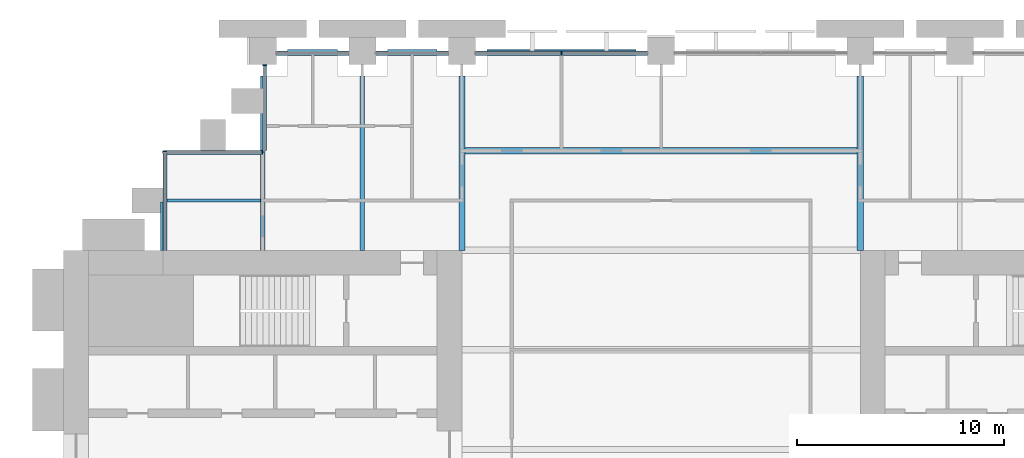
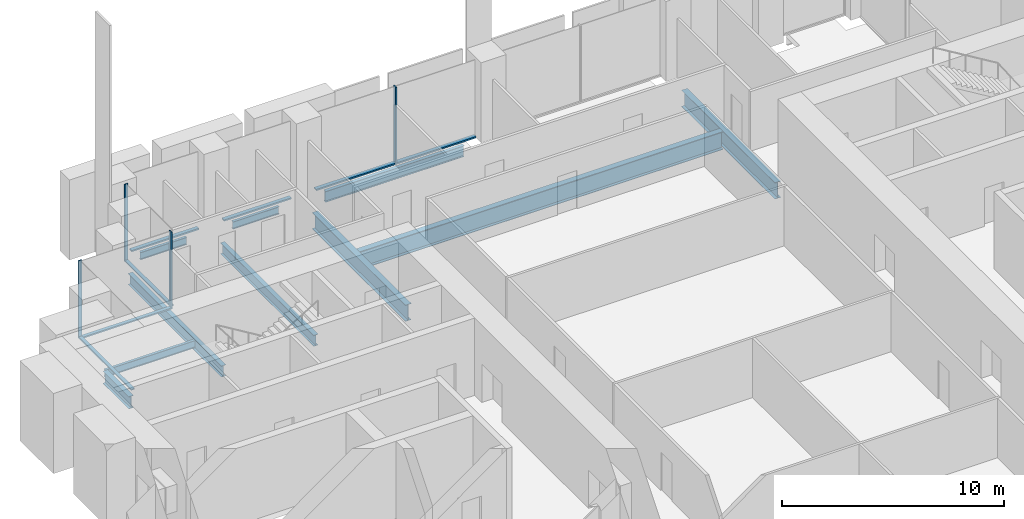
# One storey, part 14 of 32: 10 beams, 10 members, 4 elements without a shape of their own.
"""IFC4 building model written with IfcOpenShell, lengths in metres."""

import ifcopenshell
import ifcopenshell.guid

model = None  # the IFC model being written
_history = None  # IfcOwnerHistory: only IFC2X3 demands one
_inside = {}  # id of a spatial element -> (the spatial element, [elements in it])
_under = {}  # id of a project, library or spatial element -> (it, [spatial elements below it])
_declared = {}  # id of a project -> (the project, [libraries it declares])
_typed = {}  # id of a type object -> (the type object, [elements of that type])
_made_of = {}  # id of a material, layer set ... -> (it, [elements and type objects made of it])


def new_model(schema):
    """Start an empty IFC model of exactly this schema.

    Asked for "IFC4X3", IfcOpenShell would pick the latest addendum, in which some entities
    have other attributes; the version numbers below select the first issue.
    IFC2X3 requires an IfcOwnerHistory on every rooted entity: one is made here for all.
    """
    global model, _history
    if schema == "IFC4X3":
        model = ifcopenshell.file(schema_version=(4, 3, 0, 0))
    else:
        model = ifcopenshell.file(schema=schema)
    _inside.clear()
    _under.clear()
    _declared.clear()
    _typed.clear()
    _made_of.clear()
    _history = None
    if model.schema == "IFC2X3":
        org = make("IfcOrganization", Name="unknown")
        user = make(
            "IfcPersonAndOrganization",
            ThePerson=make("IfcPerson", FamilyName="unknown"),
            TheOrganization=org,
        )
        app = make(
            "IfcApplication",
            ApplicationDeveloper=org,
            Version="unknown",
            ApplicationFullName="unknown",
            ApplicationIdentifier="unknown",
        )
        _history = make(
            "IfcOwnerHistory",
            OwningUser=user,
            OwningApplication=app,
            ChangeAction="ADDED",
            CreationDate=0,
        )
    return model


def make(cls, **values):
    """One entity of the class cls with the attributes given. An attribute that is None is left unset."""
    return model.create_entity(
        cls, **{name: value for name, value in values.items() if value is not None}
    )


def rooted(cls, **values):
    """An entity with a GlobalId (a new one), such as an element, a storey or a relation."""
    return make(cls, GlobalId=ifcopenshell.guid.new(), OwnerHistory=_history, **values)


def si_unit(unit_type, name, prefix=None):
    """IfcSIUnit, for example si_unit("LENGTHUNIT", "METRE", prefix="MILLI")."""
    return make("IfcSIUnit", UnitType=unit_type, Prefix=prefix, Name=name)


def assignment(units):
    """IfcUnitAssignment: the units of a project."""
    return None if units is None else make("IfcUnitAssignment", Units=units)


def point(xyz):
    """IfcCartesianPoint."""
    return None if xyz is None else make("IfcCartesianPoint", Coordinates=xyz)


def direction(xyz):
    """IfcDirection."""
    return None if xyz is None else make("IfcDirection", DirectionRatios=xyz)


def frame(location, z_axis=None, x_axis=None):
    """IfcAxis2Placement3D, a coordinate frame: its origin and axes. An axis left out is left unset."""
    return make(
        "IfcAxis2Placement3D",
        Location=point(location),
        Axis=direction(z_axis),
        RefDirection=direction(x_axis),
    )


def frame_2d(location, x_axis=None):
    """IfcAxis2Placement2D, a coordinate frame in the plane: its origin and x axis."""
    return make(
        "IfcAxis2Placement2D", Location=point(location), RefDirection=direction(x_axis)
    )


def origin():
    """The frame at (0, 0, 0) with its axes left unset."""
    return frame((0.0, 0.0, 0.0))


def origin_2d():
    """The frame at (0, 0) in the plane with its x axis left unset."""
    return frame_2d((0.0, 0.0))


def place(relative_to, where):
    """IfcLocalPlacement: puts the frame where relative to a parent placement (None: the world)."""
    return make(
        "IfcLocalPlacement", PlacementRelTo=relative_to, RelativePlacement=where
    )


def context(
    kind, dimensions, precision=None, world=None, true_north=None, identifier=None
):
    """IfcGeometricRepresentationContext, for example the 3D "Model" context."""
    return make(
        "IfcGeometricRepresentationContext",
        ContextIdentifier=identifier,
        ContextType=kind,
        CoordinateSpaceDimension=dimensions,
        Precision=precision,
        WorldCoordinateSystem=world,
        TrueNorth=true_north,
    )


def subcontext(parent, identifier, kind, view, scale=None):
    """IfcGeometricRepresentationSubContext, for example "Body" below "Model"."""
    return make(
        "IfcGeometricRepresentationSubContext",
        ContextIdentifier=identifier,
        ContextType=kind,
        ParentContext=parent,
        TargetScale=scale,
        TargetView=view,
    )


def project(units=None, contexts=None):
    """IfcProject with its units and contexts."""
    return rooted(
        "IfcProject",
        Name="project",
        RepresentationContexts=contexts,
        UnitsInContext=assignment(units),
    )


def spatial(cls, under=None, at=None, **own):
    """A site, building, storey or space (cls), placed at a placement, below another one or the project."""
    s = rooted(cls, ObjectPlacement=at, **own)
    if under is not None:
        _under.setdefault(under.id(), (under, []))[1].append(s)
    return s


def profile(cls, at=None, kind="AREA", **sizes):
    """A parametric profile (cls). Its sizes go by their IFC names, for example OverallWidth=200.0."""
    return make(cls, ProfileType=kind, Position=at, **sizes)


def rectangle(**sizes):
    """IfcRectangleProfileDef."""
    return profile("IfcRectangleProfileDef", **sizes)


def i_section(**sizes):
    """IfcIShapeProfileDef."""
    return profile("IfcIShapeProfileDef", **sizes)


def extrude(swept, where, along, depth):
    """IfcExtrudedAreaSolid: the profile swept, set in the frame where, extruded along a direction by depth."""
    return make(
        "IfcExtrudedAreaSolid",
        SweptArea=swept,
        Position=where,
        ExtrudedDirection=direction(along),
        Depth=depth,
    )


def shape(context_of_items, identifier, shape_type, items):
    """IfcShapeRepresentation: the items that make up one representation, for example the "Body"."""
    return make(
        "IfcShapeRepresentation",
        ContextOfItems=context_of_items,
        RepresentationIdentifier=identifier,
        RepresentationType=shape_type,
        Items=items,
    )


def material(Name=None, Category=None):
    """IfcMaterial."""
    return make("IfcMaterial", Name=Name, Category=Category)


def material_profile(
    of_material, cross_section, Name=None, Category=None, Priority=None
):
    """IfcMaterialProfile: a cross section and its material."""
    return make(
        "IfcMaterialProfile",
        Name=Name,
        Material=of_material,
        Profile=cross_section,
        Priority=Priority,
        Category=Category,
    )


def profile_set(profiles, Name=None, composite=None):
    """IfcMaterialProfileSet."""
    return make(
        "IfcMaterialProfileSet",
        Name=Name,
        MaterialProfiles=profiles,
        CompositeProfile=composite,
    )


def made_of(thing, what):
    """Note that an element or type object is made of a material, layer set ...; save() writes the relation."""
    if what is not None:
        _made_of.setdefault(what.id(), (what, []))[1].append(thing)
    return thing


def type_object(cls, material=None, **own):
    """A type object (cls), such as IfcWallType, which elements share."""
    return made_of(rooted(cls, **own), material)


def element(
    cls,
    number,
    at=None,
    inside=None,
    cuts=None,
    type_object=None,
    material=None,
    context=None,
    identifier="Body",
    shape_type=None,
    held_by="IfcProductDefinitionShape",
    body=None,
    shapes=None,
    **own,
):
    """One element of the class cls, such as IfcWall. Its Tag is "e" and its number.

    at: its placement. inside: the storey or other place that contains it. cuts: it is an
    opening in that element (IfcRelVoidsElement). A single representation is given by context,
    identifier, shape_type and body (its items); several are given by shapes. held_by: the class
    of the entity that holds the representations. save() writes the other relations.
    """
    e = rooted(cls, Tag="e%d" % number, ObjectPlacement=at, **own)
    if body is not None:
        shapes = [shape(context, identifier, shape_type, body)]
    if shapes is not None:
        e.Representation = make(held_by, Representations=shapes)
    if inside is not None:
        _inside.setdefault(inside.id(), (inside, []))[1].append(e)
    if cuts is not None:
        rooted(
            "IfcRelVoidsElement", RelatingBuildingElement=cuts, RelatedOpeningElement=e
        )
    if type_object is not None:
        _typed.setdefault(type_object.id(), (type_object, []))[1].append(e)
    return made_of(e, material)


def aggregate(whole, parts):
    """IfcRelAggregates: a whole, such as a stair, and the parts it consists of."""
    return rooted("IfcRelAggregates", RelatingObject=whole, RelatedObjects=parts)


def save(model, path):
    """Write the relations noted so far, then the file.

    IfcRelAggregates (storeys below a building ...), IfcRelContainedInSpatialStructure (elements
    in a storey), IfcRelDefinesByType, IfcRelAssociatesMaterial and IfcRelDeclares: one each for
    every whole, place, type object, material and project.
    """
    for whole, parts in _under.values():
        aggregate(whole, parts)
    for where, things in _inside.values():
        rooted(
            "IfcRelContainedInSpatialStructure",
            RelatedElements=things,
            RelatingStructure=where,
        )
    for kind, things in _typed.values():
        rooted("IfcRelDefinesByType", RelatedObjects=things, RelatingType=kind)
    for what, things in _made_of.values():
        rooted("IfcRelAssociatesMaterial", RelatedObjects=things, RelatingMaterial=what)
    for by, libraries in _declared.values():
        rooted("IfcRelDeclares", RelatingContext=by, RelatedDefinitions=libraries)
    model.write(path)


model = new_model("IFC4")

# Units and contexts
model_context = context("Model", 3, precision=1e-05, world=origin(), true_north=direction((0.0, 1.0)))
body_context = subcontext(model_context, "Body", "Model", "MODEL_VIEW")
ifc_project = project(units=[si_unit("LENGTHUNIT", "METRE"), si_unit("AREAUNIT", "SQUARE_METRE"), si_unit("VOLUMEUNIT", "CUBIC_METRE"), si_unit("PLANEANGLEUNIT", "RADIAN"), si_unit("MASSUNIT", "GRAM", prefix="KILO")], contexts=[model_context])

# Site, building, storey
site_placement = place(None, origin())
site = spatial("IfcSite", under=ifc_project, at=site_placement, CompositionType="ELEMENT")
building_placement = place(site_placement, origin())
building = spatial("IfcBuilding", under=site, at=building_placement, Name="Baori Bourse Tower", CompositionType="ELEMENT")
storey_placement = place(building_placement, frame((0.0, 0.0, 12.60009765625)))
storey = spatial("IfcBuildingStorey", under=building, at=storey_placement, Name="L01", CompositionType="ELEMENT", Elevation=12.60009765625)

# Curtain wall, members
ifc_material_1 = material(Name="Pale anodised aluminium", Category="aluminium")
curtain_wall_type_1 = type_object("IfcCurtainWallType", Name="CW1 Curtain wall", PredefinedType="NOTDEFINED", material=ifc_material_1)
curtain_wall_1_placement = place(storey_placement, origin())
curtain_wall_1 = element("IfcCurtainWall", 1, at=curtain_wall_1_placement, inside=storey, type_object=curtain_wall_type_1, Name="Curtain wall CW1 L01 4", PredefinedType="NOTDEFINED")
ifc_material_2 = material(Name="Pale anodised aluminium", Category="aluminium")
ifc_material_profile_1 = material_profile(ifc_material_2, rectangle(XDim=0.199951171875, YDim=0.06005859375, at=origin_2d()), Name="Mullion 60x200")
ifc_profile_set_1 = profile_set([ifc_material_profile_1], Name="Pale anodised aluminium")
member_type_1 = type_object("IfcMemberType", Name="CW1 Curtain wall mullion", PredefinedType="MULLION", material=ifc_profile_set_1)
member_1_placement = place(storey_placement, frame((24.0, 47.89990234375, 0.079833984375), z_axis=(0.0, 0.0, 1.0), x_axis=(0.0, -1.0, 0.0)))
member_1 = element("IfcMember", 2, at=member_1_placement, type_object=member_type_1, Name="Curtain wall CW1 mullion", PredefinedType="MULLION", context=body_context, shape_type="SweptSolid", body=[
    extrude(rectangle(XDim=0.199951171875, YDim=0.06005859375, at=origin_2d()), origin(), (0.0, 0.0, 1.0), 4.16015625),
])
ifc_material_3 = material(Name="Pale anodised aluminium", Category="aluminium")
ifc_material_profile_2 = material_profile(ifc_material_3, rectangle(XDim=0.199951171875, YDim=0.080078125, at=origin_2d()), Name="Transom 80x200")
ifc_profile_set_2 = profile_set([ifc_material_profile_2], Name="Pale anodised aluminium")
member_type_2 = type_object("IfcMemberType", Name="CW1 Curtain wall transom", PredefinedType="USERDEFINED", material=ifc_profile_set_2)
member_2_placement = place(storey_placement, frame((28.14990234375, 47.89990234375, 0.039794921875), z_axis=(-1.0, 0.0, 0.0), x_axis=(0.0, -1.0, 0.0)))
member_2 = element("IfcMember", 3, at=member_2_placement, type_object=member_type_2, Name="Curtain wall CW1 sill rail", ObjectType="TRANSOM", PredefinedType="USERDEFINED", context=body_context, shape_type="SweptSolid", body=[
    extrude(rectangle(XDim=0.199951171875, YDim=0.080078125, at=origin_2d()), origin(), (0.0, 0.0, 1.0), 8.2998046875),
])
member_3_placement = place(storey_placement, frame((18.550048828125, 47.89990234375, 0.039794921875), z_axis=(-1.0, 0.0, 0.0), x_axis=(0.0, -1.0, 0.0)))
member_3 = element("IfcMember", 4, at=member_3_placement, type_object=member_type_2, Name="Curtain wall CW1 sill rail", ObjectType="TRANSOM", PredefinedType="USERDEFINED", context=body_context, shape_type="SweptSolid", body=[
    extrude(rectangle(XDim=0.199951171875, YDim=0.080078125, at=origin_2d()), origin(), (0.0, 0.0, 1.0), 3.5),
])
member_4_placement = place(storey_placement, frame((13.75, 47.89990234375, 0.039794921875), z_axis=(-1.0, 0.0, 0.0), x_axis=(0.0, -1.0, 0.0)))
member_4 = element("IfcMember", 5, at=member_4_placement, type_object=member_type_2, Name="Curtain wall CW1 sill rail", ObjectType="TRANSOM", PredefinedType="USERDEFINED", context=body_context, shape_type="SweptSolid", body=[
    extrude(rectangle(XDim=0.199951171875, YDim=0.080078125, at=origin_2d()), origin(), (0.0, 0.0, 1.0), 3.5),
])
aggregate(curtain_wall_1, [member_2, member_1, member_3, member_4])

# Curtain wall, member
ifc_material_4 = material(Name="Pale anodised aluminium", Category="aluminium")
curtain_wall_type_2 = type_object("IfcCurtainWallType", Name="CW2 Curtain wall", PredefinedType="NOTDEFINED", material=ifc_material_4)
curtain_wall_2_placement = place(storey_placement, origin())
curtain_wall_2 = element("IfcCurtainWall", 6, at=curtain_wall_2_placement, inside=storey, type_object=curtain_wall_type_2, Name="Curtain wall CW2 L01 5", PredefinedType="NOTDEFINED")
ifc_material_5 = material(Name="Pale anodised aluminium", Category="aluminium")
ifc_material_profile_3 = material_profile(ifc_material_5, rectangle(XDim=0.179931640625, YDim=0.054931640625, at=origin_2d()), Name="Mullion 55x180")
ifc_profile_set_3 = profile_set([ifc_material_profile_3], Name="Pale anodised aluminium")
member_type_3 = type_object("IfcMemberType", Name="CW2 Curtain wall mullion", PredefinedType="MULLION", material=ifc_profile_set_3)
member_5_placement = place(storey_placement, frame((9.68994140625, 47.322509765625, 0.06982421875), z_axis=(0.0, 0.0, 1.0), x_axis=(1.0, 0.0, 0.0)))
member_5 = element("IfcMember", 7, at=member_5_placement, type_object=member_type_3, Name="Curtain wall CW2 mullion", PredefinedType="MULLION", context=body_context, shape_type="SweptSolid", body=[
    extrude(rectangle(XDim=0.179931640625, YDim=0.054931640625, at=origin_2d()), origin(), (0.0, 0.0, 1.0), 4.170166015625),
])

curtain_wall_3_placement = place(storey_placement, origin())
curtain_wall_3 = element("IfcCurtainWall", 8, at=curtain_wall_3_placement, inside=storey, type_object=curtain_wall_type_2, Name="Curtain wall CW2 L01 6", PredefinedType="NOTDEFINED")
member_6_placement = place(storey_placement, frame((9.572509765625, 43.110107421875, 0.06982421875), z_axis=(0.0, 0.0, 1.0), x_axis=(0.0, -1.0, 0.0)))
member_6 = element("IfcMember", 9, at=member_6_placement, type_object=member_type_3, Name="Curtain wall CW2 mullion", PredefinedType="MULLION", context=body_context, shape_type="SweptSolid", body=[
    extrude(rectangle(XDim=0.179931640625, YDim=0.054931640625, at=origin_2d()), origin(), (0.0, 0.0, 1.0), 4.170166015625),
])

curtain_wall_4_placement = place(storey_placement, origin())
curtain_wall_4 = element("IfcCurtainWall", 10, at=curtain_wall_4_placement, inside=storey, type_object=curtain_wall_type_2, Name="Curtain wall CW2 L01 7", PredefinedType="NOTDEFINED")
member_7_placement = place(storey_placement, frame((4.889892578125, 43.172607421875, 0.06982421875), z_axis=(0.0, 0.0, 1.0), x_axis=(1.0, 0.0, 0.0)))
member_7 = element("IfcMember", 11, at=member_7_placement, type_object=member_type_3, Name="Curtain wall CW2 mullion", PredefinedType="MULLION", context=body_context, shape_type="SweptSolid", body=[
    extrude(rectangle(XDim=0.179931640625, YDim=0.054931640625, at=origin_2d()), origin(), (0.0, 0.0, 1.0), 4.170166015625),
])

# Member
ifc_material_6 = material(Name="Pale anodised aluminium", Category="aluminium")
ifc_material_profile_4 = material_profile(ifc_material_6, rectangle(XDim=0.179931640625, YDim=0.070068359375, at=origin_2d()), Name="Transom 70x180")
ifc_profile_set_4 = profile_set([ifc_material_profile_4], Name="Pale anodised aluminium")
member_type_4 = type_object("IfcMemberType", Name="CW2 Curtain wall transom", PredefinedType="USERDEFINED", material=ifc_profile_set_4)
member_8_placement = place(storey_placement, frame((9.68994140625, 47.35009765625, 0.034912109375), z_axis=(0.0, -1.0, 0.0), x_axis=(1.0, 0.0, 0.0)))
member_8 = element("IfcMember", 12, at=member_8_placement, type_object=member_type_4, Name="Curtain wall CW2 sill rail", ObjectType="TRANSOM", PredefinedType="USERDEFINED", context=body_context, shape_type="SweptSolid", body=[
    extrude(rectangle(XDim=0.179931640625, YDim=0.070068359375, at=origin_2d()), origin(), (0.0, 0.0, 1.0), 4.150146484375),
])

aggregate(curtain_wall_2, [member_8, member_5])

member_9_placement = place(storey_placement, frame((9.60009765625, 43.110107421875, 0.034912109375), z_axis=(-1.0, 0.0, 0.0), x_axis=(0.0, -1.0, 0.0)))
member_9 = element("IfcMember", 13, at=member_9_placement, type_object=member_type_4, Name="Curtain wall CW2 sill rail", ObjectType="TRANSOM", PredefinedType="USERDEFINED", context=body_context, shape_type="SweptSolid", body=[
    extrude(rectangle(XDim=0.179931640625, YDim=0.070068359375, at=origin_2d()), origin(), (0.0, 0.0, 1.0), 4.800048828125),
])

aggregate(curtain_wall_3, [member_9, member_6])

member_10_placement = place(storey_placement, frame((4.889892578125, 43.199951171875, 0.034912109375), z_axis=(0.0, -1.0, 0.0), x_axis=(1.0, 0.0, 0.0)))
member_10 = element("IfcMember", 14, at=member_10_placement, type_object=member_type_4, Name="Curtain wall CW2 sill rail", ObjectType="TRANSOM", PredefinedType="USERDEFINED", context=body_context, shape_type="SweptSolid", body=[
    extrude(rectangle(XDim=0.179931640625, YDim=0.070068359375, at=origin_2d()), origin(), (0.0, 0.0, 1.0), 4.800048828125),
])

aggregate(curtain_wall_4, [member_10, member_7])

# Beams
ifc_material_7 = material(Name="Steel A992 Gr 50", Category="steel")
ifc_material_profile_5 = material_profile(ifc_material_7, i_section(OverallWidth=0.25390625, OverallDepth=0.67822265625, WebThickness=0.01171875, FlangeThickness=0.016357421875, at=origin_2d()), Name="W27x84")
ifc_profile_set_5 = profile_set([ifc_material_profile_5], Name="Steel A992 Gr 50")
beam_type_1 = type_object("IfcBeamType", Name="Core bracket W27x84", PredefinedType="BEAM", material=ifc_profile_set_5)
beam_1_placement = place(storey_placement, frame((4.800048828125, 38.39990234375, -0.63916015625), z_axis=(0.0, 1.0, 0.0), x_axis=(-1.0, 0.0, 0.0)))
element("IfcBeam", 15, at=beam_1_placement, inside=storey, type_object=beam_type_1, Name="Core bracket L01", PredefinedType="BEAM", context=body_context, shape_type="SweptSolid", body=[
    extrude(i_section(OverallWidth=0.25390625, OverallDepth=0.67822265625, WebThickness=0.01171875, FlangeThickness=0.016357421875, at=origin_2d()), origin(), (0.0, 0.0, 1.0), 2.329833984375),
])
ifc_material_8 = material(Name="Steel A992 Gr 50", Category="steel")
ifc_material_profile_6 = material_profile(ifc_material_8, i_section(OverallWidth=0.140380859375, OverallDepth=0.40380859375, WebThickness=0.007080078125, FlangeThickness=0.01123046875, at=origin_2d()), Name="W16x31")
ifc_profile_set_6 = profile_set([ifc_material_profile_6], Name="Steel A992 Gr 50")
beam_type_2 = type_object("IfcBeamType", Name="Edge beam W16x31", PredefinedType="BEAM", material=ifc_profile_set_6)
for number, where, z_axis, x_axis, name in (
    (16, (10.800048828125, 48.0, -0.501953125), (1.0, 0.0, 0.0), (0.0, 1.0, 0.0), "Edge beam L01"),
    (17, (15.60009765625, 48.0, -0.501953125), (1.0, 0.0, 0.0), (0.0, 1.0, 0.0), "Edge beam L01"),
):
    element("IfcBeam", number, at=place(storey_placement, frame(where, z_axis=z_axis, x_axis=x_axis)), inside=storey, type_object=beam_type_2, Name=name, PredefinedType="BEAM", context=body_context, shape_type="SweptSolid", body=[
        extrude(i_section(OverallWidth=0.140380859375, OverallDepth=0.40380859375, WebThickness=0.007080078125, FlangeThickness=0.01123046875, at=origin_2d()), origin(), (0.0, 0.0, 1.0), 2.39990234375),
    ])
ifc_material_9 = material(Name="Steel A992 Gr 50", Category="steel")
ifc_material_profile_7 = material_profile(ifc_material_9, i_section(OverallWidth=0.177978515625, OverallDepth=0.599365234375, WebThickness=0.010009765625, FlangeThickness=0.012939453125, at=origin_2d()), Name="W24x55")
ifc_profile_set_7 = profile_set([ifc_material_profile_7], Name="Steel A992 Gr 50")
beam_type_3 = type_object("IfcBeamType", Name="Edge beam W24x55", PredefinedType="BEAM", material=ifc_profile_set_7)
beam_2_placement = place(storey_placement, frame((20.39990234375, 48.0, -0.599853515625), z_axis=(1.0, 0.0, 0.0), x_axis=(0.0, 1.0, 0.0)))
element("IfcBeam", 18, at=beam_2_placement, inside=storey, type_object=beam_type_3, Name="Edge beam L01", PredefinedType="BEAM", context=body_context, shape_type="SweptSolid", body=[
    extrude(i_section(OverallWidth=0.177978515625, OverallDepth=0.599365234375, WebThickness=0.010009765625, FlangeThickness=0.012939453125, at=origin_2d()), origin(), (0.0, 0.0, 1.0), 7.2001953125),
])
ifc_material_10 = material(Name="Steel A992 Gr 50", Category="steel")
ifc_material_profile_8 = material_profile(ifc_material_10, i_section(OverallWidth=0.227783203125, OverallDepth=0.60205078125, WebThickness=0.010498046875, FlangeThickness=0.014892578125, at=origin_2d()), Name="W24x68")
ifc_profile_set_8 = profile_set([ifc_material_profile_8], Name="Steel A992 Gr 50")
beam_type_4 = type_object("IfcBeamType", Name="Floor beam W24x68", PredefinedType="BEAM", material=ifc_profile_set_8)
beam_3_placement = place(storey_placement, frame((14.39990234375, 38.39990234375, -0.60107421875), z_axis=(0.0, 1.0, 0.0), x_axis=(-1.0, 0.0, 0.0)))
element("IfcBeam", 19, at=beam_3_placement, inside=storey, type_object=beam_type_4, Name="Floor beam L01", PredefinedType="BEAM", context=body_context, shape_type="SweptSolid", body=[
    extrude(i_section(OverallWidth=0.227783203125, OverallDepth=0.60205078125, WebThickness=0.010498046875, FlangeThickness=0.014892578125, at=origin_2d()), origin(), (0.0, 0.0, 1.0), 8.400146484375),
])
ifc_material_11 = material(Name="Steel A992 Gr 50", Category="steel")
ifc_material_profile_9 = material_profile(ifc_material_11, i_section(OverallWidth=0.22900390625, OverallDepth=0.612060546875, WebThickness=0.011962890625, FlangeThickness=0.01953125, at=origin_2d()), Name="W24x84")
ifc_profile_set_9 = profile_set([ifc_material_profile_9], Name="Steel A992 Gr 50")
beam_type_5 = type_object("IfcBeamType", Name="Floor beam W24x84", PredefinedType="BEAM", material=ifc_profile_set_9)
beam_4_placement = place(storey_placement, frame((9.60009765625, 38.39990234375, -0.606201171875), z_axis=(0.0, 1.0, 0.0), x_axis=(-1.0, 0.0, 0.0)))
element("IfcBeam", 20, at=beam_4_placement, inside=storey, type_object=beam_type_5, Name="Floor beam L01", PredefinedType="BEAM", context=body_context, shape_type="SweptSolid", body=[
    extrude(i_section(OverallWidth=0.22900390625, OverallDepth=0.612060546875, WebThickness=0.011962890625, FlangeThickness=0.01953125, at=origin_2d()), origin(), (0.0, 0.0, 1.0), 8.400146484375),
])
ifc_material_12 = material(Name="Steel A992 Gr 50", Category="steel")
ifc_material_profile_10 = material_profile(ifc_material_12, i_section(OverallWidth=0.2998046875, OverallDepth=0.990478515625, WebThickness=0.0166015625, FlangeThickness=0.030517578125, at=origin_2d()), Name="W40x183")
ifc_profile_set_10 = profile_set([ifc_material_profile_10], Name="Steel A992 Gr 50")
beam_type_6 = type_object("IfcBeamType", Name="Floor beam W40x183", PredefinedType="BEAM", material=ifc_profile_set_10)
beam_5_placement = place(storey_placement, frame((19.352294921875, 43.199951171875, -0.79541015625), z_axis=(1.0, 0.0, 0.0), x_axis=(0.0, 1.0, 0.0)))
element("IfcBeam", 21, at=beam_5_placement, inside=storey, type_object=beam_type_6, Name="Floor beam L01", PredefinedType="BEAM", context=body_context, shape_type="SweptSolid", body=[
    extrude(i_section(OverallWidth=0.2998046875, OverallDepth=0.990478515625, WebThickness=0.0166015625, FlangeThickness=0.030517578125, at=origin_2d()), origin(), (0.0, 0.0, 1.0), 18.895263671875),
])
ifc_material_13 = material(Name="Steel A992 Gr 50", Category="steel")
ifc_material_profile_11 = material_profile(ifc_material_13, i_section(OverallWidth=0.3046875, OverallDepth=0.904296875, WebThickness=0.01513671875, FlangeThickness=0.02001953125, at=origin_2d()), Name="W36x135")
ifc_profile_set_11 = profile_set([ifc_material_profile_11], Name="Steel A992 Gr 50")
beam_type_7 = type_object("IfcBeamType", Name="Girder W36x135", PredefinedType="BEAM", material=ifc_profile_set_11)
for number, where, z_axis, x_axis, name in (
    (22, (19.199951171875, 38.39990234375, -0.752197265625), (0.0, 1.0, 0.0), (-1.0, 0.0, 0.0), "Girder L01"),
    (23, (38.39990234375, 38.39990234375, -0.752197265625), (0.0, 1.0, 0.0), (-1.0, 0.0, 0.0), "Girder L01"),
):
    element("IfcBeam", number, at=place(storey_placement, frame(where, z_axis=z_axis, x_axis=x_axis)), inside=storey, type_object=beam_type_7, Name=name, PredefinedType="BEAM", context=body_context, shape_type="SweptSolid", body=[
        extrude(i_section(OverallWidth=0.3046875, OverallDepth=0.904296875, WebThickness=0.01513671875, FlangeThickness=0.02001953125, at=origin_2d()), origin(), (0.0, 0.0, 1.0), 8.400146484375),
    ])
ifc_material_14 = material(Name="Steel A992 Gr 50", Category="steel")
ifc_material_profile_12 = material_profile(ifc_material_14, i_section(OverallWidth=0.140380859375, OverallDepth=0.40380859375, WebThickness=0.007080078125, FlangeThickness=0.01123046875, at=origin_2d()), Name="W16x31")
ifc_profile_set_12 = profile_set([ifc_material_profile_12], Name="Steel A992 Gr 50")
beam_type_8 = type_object("IfcBeamType", Name="Trimmer beam W16x31", PredefinedType="BEAM", material=ifc_profile_set_12)
beam_6_placement = place(storey_placement, frame((4.800048828125, 40.800048828125, -0.501953125), z_axis=(1.0, 0.0, 0.0), x_axis=(0.0, 1.0, 0.0)))
element("IfcBeam", 24, at=beam_6_placement, inside=storey, type_object=beam_type_8, Name="Trimmer beam L01", PredefinedType="BEAM", context=body_context, shape_type="SweptSolid", body=[
    extrude(i_section(OverallWidth=0.140380859375, OverallDepth=0.40380859375, WebThickness=0.007080078125, FlangeThickness=0.01123046875, at=origin_2d()), origin(), (0.0, 0.0, 1.0), 4.685302734375),
])

save(model, "model.ifc")
